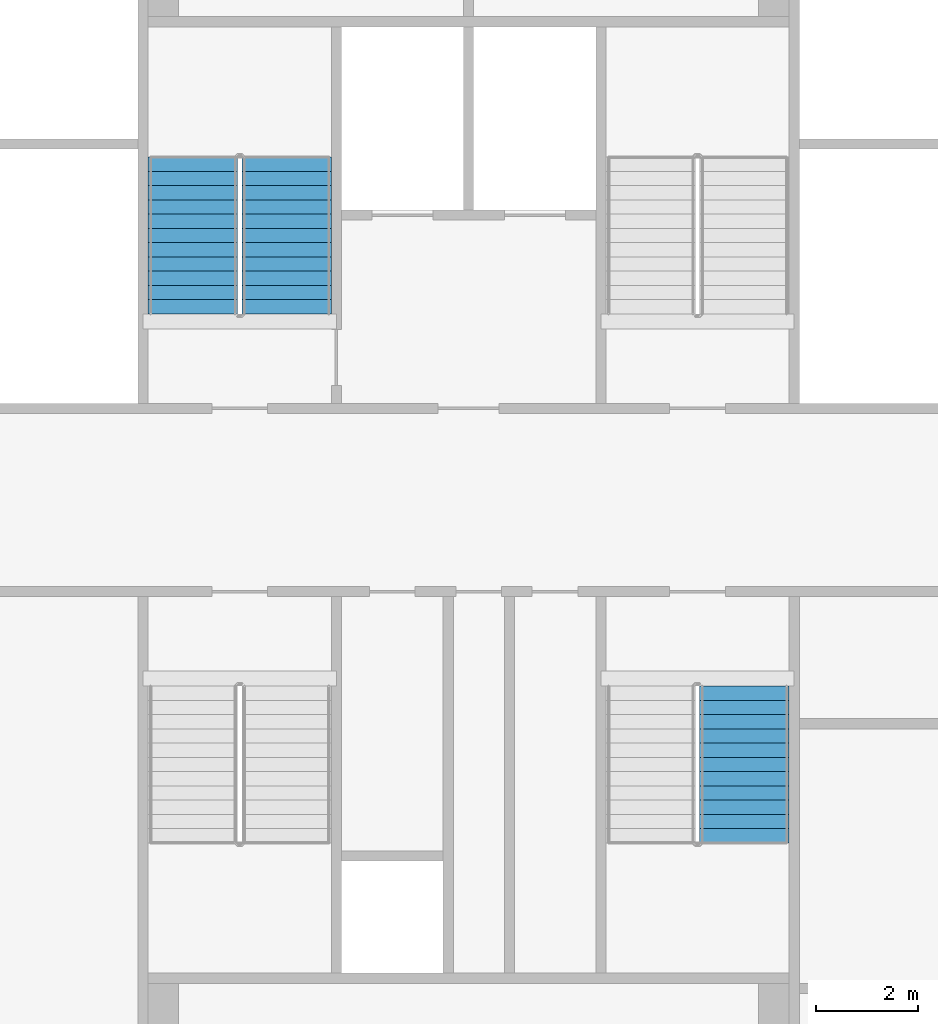
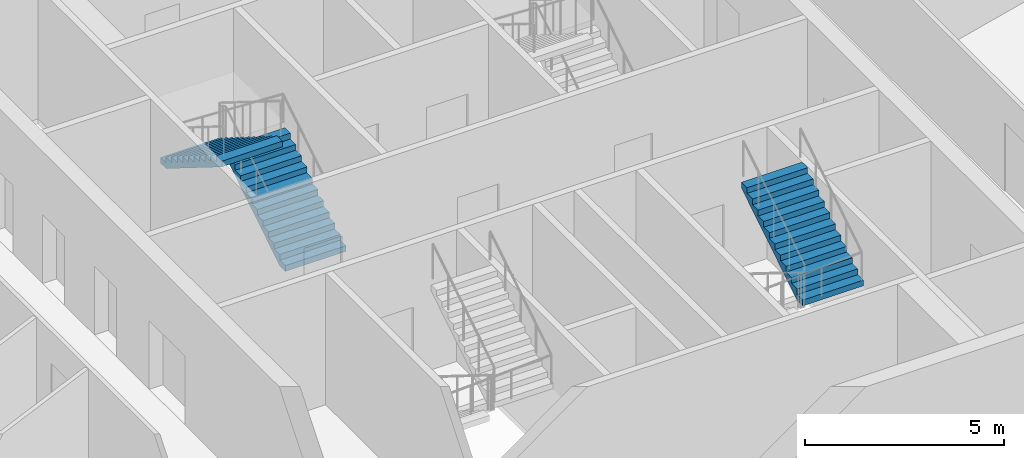
# One storey, part 29 of 35: 3 stair flights, 2 elements without a shape of their own.
"""IFC4 building model written with IfcOpenShell, lengths in metres."""

from ifc_helpers import new_model, si_unit, direction, frame, origin, place, context, subcontext, project, spatial, faceted_brep, material, type_object, element, aggregate, save


model = new_model("IFC4")

# Units and contexts
model_context = context("Model", 3, precision=1e-05, world=origin(), true_north=direction((0.0, 1.0)))
body_context = subcontext(model_context, "Body", "Model", "MODEL_VIEW")
ifc_project = project(units=[si_unit("LENGTHUNIT", "METRE"), si_unit("AREAUNIT", "SQUARE_METRE"), si_unit("VOLUMEUNIT", "CUBIC_METRE"), si_unit("PLANEANGLEUNIT", "RADIAN"), si_unit("MASSUNIT", "GRAM", prefix="KILO")], contexts=[model_context])

# Site, building, storey
site_placement = place(None, origin())
site = spatial("IfcSite", under=ifc_project, at=site_placement, CompositionType="ELEMENT")
building_placement = place(site_placement, origin())
building = spatial("IfcBuilding", under=site, at=building_placement, Name="Tarsis Ring Headquarters", CompositionType="ELEMENT")
storey_placement = place(building_placement, frame((0.0, 0.0, 377.60009765625)))
storey = spatial("IfcBuildingStorey", under=building, at=storey_placement, Name="L89", CompositionType="ELEMENT", Elevation=377.60009765625)

# Stair, stair flights
ifc_material_1 = material(Name="Core stair 1760")
stair_type = type_object("IfcStairType", Name="Core stair 1760", PredefinedType="HALF_TURN_STAIR", material=ifc_material_1)
stair_1_placement = place(storey_placement, origin())
stair_1 = element("IfcStair", 1, at=stair_1_placement, inside=storey, type_object=stair_type, Name="L89 Firefighting stair", PredefinedType="HALF_TURN_STAIR")
ifc_material_2 = material(Name="Concrete C40/50", Category="concrete")
stair_flight_type = type_object("IfcStairFlightType", Name="Core stair flight 1760", PredefinedType="STRAIGHT", material=ifc_material_2)
stair_flight_1_placement = place(storey_placement, frame((-3.580078125, 3.659912109375, 0.0), z_axis=(0.0, 0.0, 1.0), x_axis=(0.0, 1.0, 0.0)))
stair_flight_1 = element("IfcStairFlight", 2, at=stair_flight_1_placement, type_object=stair_flight_type, Name="Stair ST1 flight 1", NumberOfRisers=12, NumberOfTreads=11, PredefinedType="STRAIGHT", RiserHeight=0.175, TreadLength=0.28, context=body_context, shape_type="Brep", body=[
    faceted_brep([(0.0, 0.8798828125, 0.0), (0.0, 0.8798828125, 0.175048828125), (0.280029296875, 0.8798828125, 0.175048828125), (0.280029296875, 0.8798828125, 0.35009765625), (0.56005859375, 0.8798828125, 0.35009765625), (0.56005859375, 0.8798828125, 0.52490234375), (0.840087890625, 0.8798828125, 0.52490234375), (0.840087890625, 0.8798828125, 0.699951171875), (1.1201171875, 0.8798828125, 0.699951171875), (1.1201171875, 0.8798828125, 0.875), (1.39990234375, 0.8798828125, 0.875), (1.39990234375, 0.8798828125, 1.050048828125), (1.679931640625, 0.8798828125, 1.050048828125), (1.679931640625, 0.8798828125, 1.22509765625), (1.9599609375, 0.8798828125, 1.22509765625), (1.9599609375, 0.8798828125, 1.39990234375), (2.239990234375, 0.8798828125, 1.39990234375), (2.239990234375, 0.8798828125, 1.574951171875), (2.52001953125, 0.8798828125, 1.574951171875), (2.52001953125, 0.8798828125, 1.75), (2.800048828125, 0.8798828125, 1.75), (2.800048828125, 0.8798828125, 1.925048828125), (3.080078125, 0.8798828125, 1.925048828125), (3.080078125, 0.8798828125, 1.748291015625), (0.28271484375, 0.8798828125, 0.0), (0.28271484375, -0.8798828125, 0.0), (3.080078125, -0.8798828125, 1.748291015625), (3.080078125, -0.8798828125, 1.925048828125), (2.800048828125, -0.8798828125, 1.925048828125), (2.800048828125, -0.8798828125, 1.75), (2.52001953125, -0.8798828125, 1.75), (2.52001953125, -0.8798828125, 1.574951171875), (2.239990234375, -0.8798828125, 1.574951171875), (2.239990234375, -0.8798828125, 1.39990234375), (1.9599609375, -0.8798828125, 1.39990234375), (1.9599609375, -0.8798828125, 1.22509765625), (1.679931640625, -0.8798828125, 1.22509765625), (1.679931640625, -0.8798828125, 1.050048828125), (1.39990234375, -0.8798828125, 1.050048828125), (1.39990234375, -0.8798828125, 0.875), (1.1201171875, -0.8798828125, 0.875), (1.1201171875, -0.8798828125, 0.699951171875), (0.840087890625, -0.8798828125, 0.699951171875), (0.840087890625, -0.8798828125, 0.52490234375), (0.56005859375, -0.8798828125, 0.52490234375), (0.56005859375, -0.8798828125, 0.35009765625), (0.280029296875, -0.8798828125, 0.35009765625), (0.280029296875, -0.8798828125, 0.175048828125), (0.0, -0.8798828125, 0.175048828125), (0.0, -0.8798828125, 0.0), (0.0, -0.43994140625, 0.175048828125), (0.0, -0.43994140625, 0.0), (0.0, 0.0, 0.175048828125), (0.0, 0.0, 0.0), (0.0, 0.43994140625, 0.175048828125), (0.0, 0.43994140625, 0.0), (0.280029296875, -0.43994140625, 0.175048828125), (0.280029296875, 0.0, 0.175048828125), (0.280029296875, 0.43994140625, 0.175048828125), (0.280029296875, -0.43994140625, 0.35009765625), (0.280029296875, 0.0, 0.35009765625), (0.280029296875, 0.43994140625, 0.35009765625), (0.56005859375, -0.43994140625, 0.35009765625), (0.56005859375, 0.0, 0.35009765625), (0.56005859375, 0.43994140625, 0.35009765625), (0.56005859375, -0.43994140625, 0.52490234375), (0.56005859375, 0.0, 0.52490234375), (0.56005859375, 0.43994140625, 0.52490234375), (0.840087890625, -0.43994140625, 0.52490234375), (0.840087890625, 0.0, 0.52490234375), (0.840087890625, 0.43994140625, 0.52490234375), (0.840087890625, -0.43994140625, 0.699951171875), (0.840087890625, 0.0, 0.699951171875), (0.840087890625, 0.43994140625, 0.699951171875), (1.1201171875, -0.43994140625, 0.699951171875), (1.1201171875, 0.0, 0.699951171875), (1.1201171875, 0.43994140625, 0.699951171875), (1.1201171875, -0.43994140625, 0.875), (1.1201171875, 0.0, 0.875), (1.1201171875, 0.43994140625, 0.875), (1.39990234375, -0.43994140625, 0.875), (1.39990234375, 0.0, 0.875), (1.39990234375, 0.43994140625, 0.875), (1.39990234375, -0.43994140625, 1.050048828125), (1.39990234375, 0.0, 1.050048828125), (1.39990234375, 0.43994140625, 1.050048828125), (1.679931640625, -0.43994140625, 1.050048828125), (1.679931640625, 0.0, 1.050048828125), (1.679931640625, 0.43994140625, 1.050048828125), (1.679931640625, -0.43994140625, 1.22509765625), (1.679931640625, 0.0, 1.22509765625), (1.679931640625, 0.43994140625, 1.22509765625), (1.9599609375, -0.43994140625, 1.22509765625), (1.9599609375, 0.0, 1.22509765625), (1.9599609375, 0.43994140625, 1.22509765625), (1.9599609375, -0.43994140625, 1.39990234375), (1.9599609375, 0.0, 1.39990234375), (1.9599609375, 0.43994140625, 1.39990234375), (2.239990234375, -0.43994140625, 1.39990234375), (2.239990234375, 0.0, 1.39990234375), (2.239990234375, 0.43994140625, 1.39990234375), (2.239990234375, -0.43994140625, 1.574951171875), (2.239990234375, 0.0, 1.574951171875), (2.239990234375, 0.43994140625, 1.574951171875), (2.52001953125, -0.43994140625, 1.574951171875), (2.52001953125, 0.0, 1.574951171875), (2.52001953125, 0.43994140625, 1.574951171875), (2.52001953125, -0.43994140625, 1.75), (2.52001953125, 0.0, 1.75), (2.52001953125, 0.43994140625, 1.75), (2.800048828125, -0.43994140625, 1.75), (2.800048828125, 0.0, 1.75), (2.800048828125, 0.43994140625, 1.75), (2.800048828125, -0.43994140625, 1.925048828125), (2.800048828125, 0.0, 1.925048828125), (2.800048828125, 0.43994140625, 1.925048828125), (3.080078125, -0.43994140625, 1.925048828125), (3.080078125, 0.0, 1.925048828125), (3.080078125, 0.43994140625, 1.925048828125), (3.080078125, -0.43994140625, 1.748291015625), (3.080078125, 0.0, 1.748291015625), (3.080078125, 0.43994140625, 1.748291015625), (0.28271484375, -0.43994140625, 0.0), (0.28271484375, 0.0, 0.0), (0.28271484375, 0.43994140625, 0.0)], [[[0, 1, 2, 3, 4, 5, 6, 7, 8, 9, 10, 11, 12, 13, 14, 15, 16, 17, 18, 19, 20, 21, 22, 23, 24]], [[25, 26, 27, 28, 29, 30, 31, 32, 33, 34, 35, 36, 37, 38, 39, 40, 41, 42, 43, 44, 45, 46, 47, 48, 49]], [[49, 48, 50, 51]], [[51, 50, 52, 53]], [[53, 52, 54, 55]], [[55, 54, 1, 0]], [[48, 47, 56, 50]], [[50, 56, 57, 52]], [[52, 57, 58, 54]], [[54, 58, 2, 1]], [[47, 46, 59, 56]], [[56, 59, 60, 57]], [[57, 60, 61, 58]], [[58, 61, 3, 2]], [[46, 45, 62, 59]], [[59, 62, 63, 60]], [[60, 63, 64, 61]], [[61, 64, 4, 3]], [[45, 44, 65, 62]], [[62, 65, 66, 63]], [[63, 66, 67, 64]], [[64, 67, 5, 4]], [[44, 43, 68, 65]], [[65, 68, 69, 66]], [[66, 69, 70, 67]], [[67, 70, 6, 5]], [[43, 42, 71, 68]], [[68, 71, 72, 69]], [[69, 72, 73, 70]], [[70, 73, 7, 6]], [[42, 41, 74, 71]], [[71, 74, 75, 72]], [[72, 75, 76, 73]], [[73, 76, 8, 7]], [[41, 40, 77, 74]], [[74, 77, 78, 75]], [[75, 78, 79, 76]], [[76, 79, 9, 8]], [[40, 39, 80, 77]], [[77, 80, 81, 78]], [[78, 81, 82, 79]], [[79, 82, 10, 9]], [[39, 38, 83, 80]], [[80, 83, 84, 81]], [[81, 84, 85, 82]], [[82, 85, 11, 10]], [[38, 37, 86, 83]], [[83, 86, 87, 84]], [[84, 87, 88, 85]], [[85, 88, 12, 11]], [[37, 36, 89, 86]], [[86, 89, 90, 87]], [[87, 90, 91, 88]], [[88, 91, 13, 12]], [[36, 35, 92, 89]], [[89, 92, 93, 90]], [[90, 93, 94, 91]], [[91, 94, 14, 13]], [[35, 34, 95, 92]], [[92, 95, 96, 93]], [[93, 96, 97, 94]], [[94, 97, 15, 14]], [[34, 33, 98, 95]], [[95, 98, 99, 96]], [[96, 99, 100, 97]], [[97, 100, 16, 15]], [[33, 32, 101, 98]], [[98, 101, 102, 99]], [[99, 102, 103, 100]], [[100, 103, 17, 16]], [[32, 31, 104, 101]], [[101, 104, 105, 102]], [[102, 105, 106, 103]], [[103, 106, 18, 17]], [[31, 30, 107, 104]], [[104, 107, 108, 105]], [[105, 108, 109, 106]], [[106, 109, 19, 18]], [[30, 29, 110, 107]], [[107, 110, 111, 108]], [[108, 111, 112, 109]], [[109, 112, 20, 19]], [[29, 28, 113, 110]], [[110, 113, 114, 111]], [[111, 114, 115, 112]], [[112, 115, 21, 20]], [[28, 27, 116, 113]], [[113, 116, 117, 114]], [[114, 117, 118, 115]], [[115, 118, 22, 21]], [[27, 26, 119, 116]], [[116, 119, 120, 117]], [[117, 120, 121, 118]], [[118, 121, 23, 22]], [[26, 25, 122, 119]], [[119, 122, 123, 120]], [[120, 123, 124, 121]], [[121, 124, 24, 23]], [[25, 49, 51, 122]], [[122, 51, 53, 123]], [[123, 53, 55, 124]], [[124, 55, 0, 24]]]),
])
stair_flight_2_placement = place(storey_placement, frame((-5.419921875, 6.739990234375, 2.099853515625), z_axis=(0.0, 0.0, 1.0), x_axis=(0.0, -1.0, 0.0)))
stair_flight_2 = element("IfcStairFlight", 3, at=stair_flight_2_placement, type_object=stair_flight_type, Name="Stair ST1 flight 2", NumberOfRisers=12, NumberOfTreads=11, PredefinedType="STRAIGHT", RiserHeight=0.175, TreadLength=0.28, context=body_context, shape_type="Brep", body=[
    faceted_brep([(0.0, 0.8798828125, 0.0), (0.0, 0.8798828125, 0.175048828125), (0.280029296875, 0.8798828125, 0.175048828125), (0.280029296875, 0.8798828125, 0.35009765625), (0.56005859375, 0.8798828125, 0.35009765625), (0.56005859375, 0.8798828125, 0.52490234375), (0.840087890625, 0.8798828125, 0.52490234375), (0.840087890625, 0.8798828125, 0.699951171875), (1.1201171875, 0.8798828125, 0.699951171875), (1.1201171875, 0.8798828125, 0.875), (1.39990234375, 0.8798828125, 0.875), (1.39990234375, 0.8798828125, 1.050048828125), (1.679931640625, 0.8798828125, 1.050048828125), (1.679931640625, 0.8798828125, 1.22509765625), (1.9599609375, 0.8798828125, 1.22509765625), (1.9599609375, 0.8798828125, 1.39990234375), (2.239990234375, 0.8798828125, 1.39990234375), (2.239990234375, 0.8798828125, 1.574951171875), (2.52001953125, 0.8798828125, 1.574951171875), (2.52001953125, 0.8798828125, 1.75), (2.800048828125, 0.8798828125, 1.75), (2.800048828125, 0.8798828125, 1.925048828125), (3.080078125, 0.8798828125, 1.925048828125), (3.080078125, 0.8798828125, 1.748291015625), (0.28271484375, 0.8798828125, 0.0), (0.28271484375, -0.8798828125, 0.0), (3.080078125, -0.8798828125, 1.748291015625), (3.080078125, -0.8798828125, 1.925048828125), (2.800048828125, -0.8798828125, 1.925048828125), (2.800048828125, -0.8798828125, 1.75), (2.52001953125, -0.8798828125, 1.75), (2.52001953125, -0.8798828125, 1.574951171875), (2.239990234375, -0.8798828125, 1.574951171875), (2.239990234375, -0.8798828125, 1.39990234375), (1.9599609375, -0.8798828125, 1.39990234375), (1.9599609375, -0.8798828125, 1.22509765625), (1.679931640625, -0.8798828125, 1.22509765625), (1.679931640625, -0.8798828125, 1.050048828125), (1.39990234375, -0.8798828125, 1.050048828125), (1.39990234375, -0.8798828125, 0.875), (1.1201171875, -0.8798828125, 0.875), (1.1201171875, -0.8798828125, 0.699951171875), (0.840087890625, -0.8798828125, 0.699951171875), (0.840087890625, -0.8798828125, 0.52490234375), (0.56005859375, -0.8798828125, 0.52490234375), (0.56005859375, -0.8798828125, 0.35009765625), (0.280029296875, -0.8798828125, 0.35009765625), (0.280029296875, -0.8798828125, 0.175048828125), (0.0, -0.8798828125, 0.175048828125), (0.0, -0.8798828125, 0.0), (0.0, -0.43994140625, 0.175048828125), (0.0, -0.43994140625, 0.0), (0.0, 0.0, 0.175048828125), (0.0, 0.0, 0.0), (0.0, 0.43994140625, 0.175048828125), (0.0, 0.43994140625, 0.0), (0.280029296875, -0.43994140625, 0.175048828125), (0.280029296875, 0.0, 0.175048828125), (0.280029296875, 0.43994140625, 0.175048828125), (0.280029296875, -0.43994140625, 0.35009765625), (0.280029296875, 0.0, 0.35009765625), (0.280029296875, 0.43994140625, 0.35009765625), (0.56005859375, -0.43994140625, 0.35009765625), (0.56005859375, 0.0, 0.35009765625), (0.56005859375, 0.43994140625, 0.35009765625), (0.56005859375, -0.43994140625, 0.52490234375), (0.56005859375, 0.0, 0.52490234375), (0.56005859375, 0.43994140625, 0.52490234375), (0.840087890625, -0.43994140625, 0.52490234375), (0.840087890625, 0.0, 0.52490234375), (0.840087890625, 0.43994140625, 0.52490234375), (0.840087890625, -0.43994140625, 0.699951171875), (0.840087890625, 0.0, 0.699951171875), (0.840087890625, 0.43994140625, 0.699951171875), (1.1201171875, -0.43994140625, 0.699951171875), (1.1201171875, 0.0, 0.699951171875), (1.1201171875, 0.43994140625, 0.699951171875), (1.1201171875, -0.43994140625, 0.875), (1.1201171875, 0.0, 0.875), (1.1201171875, 0.43994140625, 0.875), (1.39990234375, -0.43994140625, 0.875), (1.39990234375, 0.0, 0.875), (1.39990234375, 0.43994140625, 0.875), (1.39990234375, -0.43994140625, 1.050048828125), (1.39990234375, 0.0, 1.050048828125), (1.39990234375, 0.43994140625, 1.050048828125), (1.679931640625, -0.43994140625, 1.050048828125), (1.679931640625, 0.0, 1.050048828125), (1.679931640625, 0.43994140625, 1.050048828125), (1.679931640625, -0.43994140625, 1.22509765625), (1.679931640625, 0.0, 1.22509765625), (1.679931640625, 0.43994140625, 1.22509765625), (1.9599609375, -0.43994140625, 1.22509765625), (1.9599609375, 0.0, 1.22509765625), (1.9599609375, 0.43994140625, 1.22509765625), (1.9599609375, -0.43994140625, 1.39990234375), (1.9599609375, 0.0, 1.39990234375), (1.9599609375, 0.43994140625, 1.39990234375), (2.239990234375, -0.43994140625, 1.39990234375), (2.239990234375, 0.0, 1.39990234375), (2.239990234375, 0.43994140625, 1.39990234375), (2.239990234375, -0.43994140625, 1.574951171875), (2.239990234375, 0.0, 1.574951171875), (2.239990234375, 0.43994140625, 1.574951171875), (2.52001953125, -0.43994140625, 1.574951171875), (2.52001953125, 0.0, 1.574951171875), (2.52001953125, 0.43994140625, 1.574951171875), (2.52001953125, -0.43994140625, 1.75), (2.52001953125, 0.0, 1.75), (2.52001953125, 0.43994140625, 1.75), (2.800048828125, -0.43994140625, 1.75), (2.800048828125, 0.0, 1.75), (2.800048828125, 0.43994140625, 1.75), (2.800048828125, -0.43994140625, 1.925048828125), (2.800048828125, 0.0, 1.925048828125), (2.800048828125, 0.43994140625, 1.925048828125), (3.080078125, -0.43994140625, 1.925048828125), (3.080078125, 0.0, 1.925048828125), (3.080078125, 0.43994140625, 1.925048828125), (3.080078125, -0.43994140625, 1.748291015625), (3.080078125, 0.0, 1.748291015625), (3.080078125, 0.43994140625, 1.748291015625), (0.28271484375, -0.43994140625, 0.0), (0.28271484375, 0.0, 0.0), (0.28271484375, 0.43994140625, 0.0)], [[[0, 1, 2, 3, 4, 5, 6, 7, 8, 9, 10, 11, 12, 13, 14, 15, 16, 17, 18, 19, 20, 21, 22, 23, 24]], [[25, 26, 27, 28, 29, 30, 31, 32, 33, 34, 35, 36, 37, 38, 39, 40, 41, 42, 43, 44, 45, 46, 47, 48, 49]], [[49, 48, 50, 51]], [[51, 50, 52, 53]], [[53, 52, 54, 55]], [[55, 54, 1, 0]], [[48, 47, 56, 50]], [[50, 56, 57, 52]], [[52, 57, 58, 54]], [[54, 58, 2, 1]], [[47, 46, 59, 56]], [[56, 59, 60, 57]], [[57, 60, 61, 58]], [[58, 61, 3, 2]], [[46, 45, 62, 59]], [[59, 62, 63, 60]], [[60, 63, 64, 61]], [[61, 64, 4, 3]], [[45, 44, 65, 62]], [[62, 65, 66, 63]], [[63, 66, 67, 64]], [[64, 67, 5, 4]], [[44, 43, 68, 65]], [[65, 68, 69, 66]], [[66, 69, 70, 67]], [[67, 70, 6, 5]], [[43, 42, 71, 68]], [[68, 71, 72, 69]], [[69, 72, 73, 70]], [[70, 73, 7, 6]], [[42, 41, 74, 71]], [[71, 74, 75, 72]], [[72, 75, 76, 73]], [[73, 76, 8, 7]], [[41, 40, 77, 74]], [[74, 77, 78, 75]], [[75, 78, 79, 76]], [[76, 79, 9, 8]], [[40, 39, 80, 77]], [[77, 80, 81, 78]], [[78, 81, 82, 79]], [[79, 82, 10, 9]], [[39, 38, 83, 80]], [[80, 83, 84, 81]], [[81, 84, 85, 82]], [[82, 85, 11, 10]], [[38, 37, 86, 83]], [[83, 86, 87, 84]], [[84, 87, 88, 85]], [[85, 88, 12, 11]], [[37, 36, 89, 86]], [[86, 89, 90, 87]], [[87, 90, 91, 88]], [[88, 91, 13, 12]], [[36, 35, 92, 89]], [[89, 92, 93, 90]], [[90, 93, 94, 91]], [[91, 94, 14, 13]], [[35, 34, 95, 92]], [[92, 95, 96, 93]], [[93, 96, 97, 94]], [[94, 97, 15, 14]], [[34, 33, 98, 95]], [[95, 98, 99, 96]], [[96, 99, 100, 97]], [[97, 100, 16, 15]], [[33, 32, 101, 98]], [[98, 101, 102, 99]], [[99, 102, 103, 100]], [[100, 103, 17, 16]], [[32, 31, 104, 101]], [[101, 104, 105, 102]], [[102, 105, 106, 103]], [[103, 106, 18, 17]], [[31, 30, 107, 104]], [[104, 107, 108, 105]], [[105, 108, 109, 106]], [[106, 109, 19, 18]], [[30, 29, 110, 107]], [[107, 110, 111, 108]], [[108, 111, 112, 109]], [[109, 112, 20, 19]], [[29, 28, 113, 110]], [[110, 113, 114, 111]], [[111, 114, 115, 112]], [[112, 115, 21, 20]], [[28, 27, 116, 113]], [[113, 116, 117, 114]], [[114, 117, 118, 115]], [[115, 118, 22, 21]], [[27, 26, 119, 116]], [[116, 119, 120, 117]], [[117, 120, 121, 118]], [[118, 121, 23, 22]], [[26, 25, 122, 119]], [[119, 122, 123, 120]], [[120, 123, 124, 121]], [[121, 124, 24, 23]], [[25, 49, 51, 122]], [[122, 51, 53, 123]], [[123, 53, 55, 124]], [[124, 55, 0, 24]]]),
])
aggregate(stair_1, [stair_flight_1, stair_flight_2])

# Stair, stair flight
stair_2_placement = place(storey_placement, origin())
stair_2 = element("IfcStair", 4, at=stair_2_placement, inside=storey, type_object=stair_type, Name="L89 Exit stair D", PredefinedType="HALF_TURN_STAIR")
stair_flight_3_placement = place(storey_placement, frame((5.419921875, -6.739990234375, 2.099853515625), z_axis=(0.0, 0.0, 1.0), x_axis=(0.0, 1.0, 0.0)))
stair_flight_3 = element("IfcStairFlight", 5, at=stair_flight_3_placement, type_object=stair_flight_type, Name="Stair ST4 flight 2", NumberOfRisers=12, NumberOfTreads=11, PredefinedType="STRAIGHT", RiserHeight=0.175, TreadLength=0.28, context=body_context, shape_type="Brep", body=[
    faceted_brep([(0.0, 0.8798828125, 0.0), (0.0, 0.8798828125, 0.175048828125), (0.280029296875, 0.8798828125, 0.175048828125), (0.280029296875, 0.8798828125, 0.35009765625), (0.56005859375, 0.8798828125, 0.35009765625), (0.56005859375, 0.8798828125, 0.52490234375), (0.840087890625, 0.8798828125, 0.52490234375), (0.840087890625, 0.8798828125, 0.699951171875), (1.1201171875, 0.8798828125, 0.699951171875), (1.1201171875, 0.8798828125, 0.875), (1.39990234375, 0.8798828125, 0.875), (1.39990234375, 0.8798828125, 1.050048828125), (1.679931640625, 0.8798828125, 1.050048828125), (1.679931640625, 0.8798828125, 1.22509765625), (1.9599609375, 0.8798828125, 1.22509765625), (1.9599609375, 0.8798828125, 1.39990234375), (2.239990234375, 0.8798828125, 1.39990234375), (2.239990234375, 0.8798828125, 1.574951171875), (2.52001953125, 0.8798828125, 1.574951171875), (2.52001953125, 0.8798828125, 1.75), (2.800048828125, 0.8798828125, 1.75), (2.800048828125, 0.8798828125, 1.925048828125), (3.080078125, 0.8798828125, 1.925048828125), (3.080078125, 0.8798828125, 1.748291015625), (0.28271484375, 0.8798828125, 0.0), (0.28271484375, -0.8798828125, 0.0), (3.080078125, -0.8798828125, 1.748291015625), (3.080078125, -0.8798828125, 1.925048828125), (2.800048828125, -0.8798828125, 1.925048828125), (2.800048828125, -0.8798828125, 1.75), (2.52001953125, -0.8798828125, 1.75), (2.52001953125, -0.8798828125, 1.574951171875), (2.239990234375, -0.8798828125, 1.574951171875), (2.239990234375, -0.8798828125, 1.39990234375), (1.9599609375, -0.8798828125, 1.39990234375), (1.9599609375, -0.8798828125, 1.22509765625), (1.679931640625, -0.8798828125, 1.22509765625), (1.679931640625, -0.8798828125, 1.050048828125), (1.39990234375, -0.8798828125, 1.050048828125), (1.39990234375, -0.8798828125, 0.875), (1.1201171875, -0.8798828125, 0.875), (1.1201171875, -0.8798828125, 0.699951171875), (0.840087890625, -0.8798828125, 0.699951171875), (0.840087890625, -0.8798828125, 0.52490234375), (0.56005859375, -0.8798828125, 0.52490234375), (0.56005859375, -0.8798828125, 0.35009765625), (0.280029296875, -0.8798828125, 0.35009765625), (0.280029296875, -0.8798828125, 0.175048828125), (0.0, -0.8798828125, 0.175048828125), (0.0, -0.8798828125, 0.0), (0.0, -0.43994140625, 0.175048828125), (0.0, -0.43994140625, 0.0), (0.0, 0.0, 0.175048828125), (0.0, 0.0, 0.0), (0.0, 0.43994140625, 0.175048828125), (0.0, 0.43994140625, 0.0), (0.280029296875, -0.43994140625, 0.175048828125), (0.280029296875, 0.0, 0.175048828125), (0.280029296875, 0.43994140625, 0.175048828125), (0.280029296875, -0.43994140625, 0.35009765625), (0.280029296875, 0.0, 0.35009765625), (0.280029296875, 0.43994140625, 0.35009765625), (0.56005859375, -0.43994140625, 0.35009765625), (0.56005859375, 0.0, 0.35009765625), (0.56005859375, 0.43994140625, 0.35009765625), (0.56005859375, -0.43994140625, 0.52490234375), (0.56005859375, 0.0, 0.52490234375), (0.56005859375, 0.43994140625, 0.52490234375), (0.840087890625, -0.43994140625, 0.52490234375), (0.840087890625, 0.0, 0.52490234375), (0.840087890625, 0.43994140625, 0.52490234375), (0.840087890625, -0.43994140625, 0.699951171875), (0.840087890625, 0.0, 0.699951171875), (0.840087890625, 0.43994140625, 0.699951171875), (1.1201171875, -0.43994140625, 0.699951171875), (1.1201171875, 0.0, 0.699951171875), (1.1201171875, 0.43994140625, 0.699951171875), (1.1201171875, -0.43994140625, 0.875), (1.1201171875, 0.0, 0.875), (1.1201171875, 0.43994140625, 0.875), (1.39990234375, -0.43994140625, 0.875), (1.39990234375, 0.0, 0.875), (1.39990234375, 0.43994140625, 0.875), (1.39990234375, -0.43994140625, 1.050048828125), (1.39990234375, 0.0, 1.050048828125), (1.39990234375, 0.43994140625, 1.050048828125), (1.679931640625, -0.43994140625, 1.050048828125), (1.679931640625, 0.0, 1.050048828125), (1.679931640625, 0.43994140625, 1.050048828125), (1.679931640625, -0.43994140625, 1.22509765625), (1.679931640625, 0.0, 1.22509765625), (1.679931640625, 0.43994140625, 1.22509765625), (1.9599609375, -0.43994140625, 1.22509765625), (1.9599609375, 0.0, 1.22509765625), (1.9599609375, 0.43994140625, 1.22509765625), (1.9599609375, -0.43994140625, 1.39990234375), (1.9599609375, 0.0, 1.39990234375), (1.9599609375, 0.43994140625, 1.39990234375), (2.239990234375, -0.43994140625, 1.39990234375), (2.239990234375, 0.0, 1.39990234375), (2.239990234375, 0.43994140625, 1.39990234375), (2.239990234375, -0.43994140625, 1.574951171875), (2.239990234375, 0.0, 1.574951171875), (2.239990234375, 0.43994140625, 1.574951171875), (2.52001953125, -0.43994140625, 1.574951171875), (2.52001953125, 0.0, 1.574951171875), (2.52001953125, 0.43994140625, 1.574951171875), (2.52001953125, -0.43994140625, 1.75), (2.52001953125, 0.0, 1.75), (2.52001953125, 0.43994140625, 1.75), (2.800048828125, -0.43994140625, 1.75), (2.800048828125, 0.0, 1.75), (2.800048828125, 0.43994140625, 1.75), (2.800048828125, -0.43994140625, 1.925048828125), (2.800048828125, 0.0, 1.925048828125), (2.800048828125, 0.43994140625, 1.925048828125), (3.080078125, -0.43994140625, 1.925048828125), (3.080078125, 0.0, 1.925048828125), (3.080078125, 0.43994140625, 1.925048828125), (3.080078125, -0.43994140625, 1.748291015625), (3.080078125, 0.0, 1.748291015625), (3.080078125, 0.43994140625, 1.748291015625), (0.28271484375, -0.43994140625, 0.0), (0.28271484375, 0.0, 0.0), (0.28271484375, 0.43994140625, 0.0)], [[[0, 1, 2, 3, 4, 5, 6, 7, 8, 9, 10, 11, 12, 13, 14, 15, 16, 17, 18, 19, 20, 21, 22, 23, 24]], [[25, 26, 27, 28, 29, 30, 31, 32, 33, 34, 35, 36, 37, 38, 39, 40, 41, 42, 43, 44, 45, 46, 47, 48, 49]], [[49, 48, 50, 51]], [[51, 50, 52, 53]], [[53, 52, 54, 55]], [[55, 54, 1, 0]], [[48, 47, 56, 50]], [[50, 56, 57, 52]], [[52, 57, 58, 54]], [[54, 58, 2, 1]], [[47, 46, 59, 56]], [[56, 59, 60, 57]], [[57, 60, 61, 58]], [[58, 61, 3, 2]], [[46, 45, 62, 59]], [[59, 62, 63, 60]], [[60, 63, 64, 61]], [[61, 64, 4, 3]], [[45, 44, 65, 62]], [[62, 65, 66, 63]], [[63, 66, 67, 64]], [[64, 67, 5, 4]], [[44, 43, 68, 65]], [[65, 68, 69, 66]], [[66, 69, 70, 67]], [[67, 70, 6, 5]], [[43, 42, 71, 68]], [[68, 71, 72, 69]], [[69, 72, 73, 70]], [[70, 73, 7, 6]], [[42, 41, 74, 71]], [[71, 74, 75, 72]], [[72, 75, 76, 73]], [[73, 76, 8, 7]], [[41, 40, 77, 74]], [[74, 77, 78, 75]], [[75, 78, 79, 76]], [[76, 79, 9, 8]], [[40, 39, 80, 77]], [[77, 80, 81, 78]], [[78, 81, 82, 79]], [[79, 82, 10, 9]], [[39, 38, 83, 80]], [[80, 83, 84, 81]], [[81, 84, 85, 82]], [[82, 85, 11, 10]], [[38, 37, 86, 83]], [[83, 86, 87, 84]], [[84, 87, 88, 85]], [[85, 88, 12, 11]], [[37, 36, 89, 86]], [[86, 89, 90, 87]], [[87, 90, 91, 88]], [[88, 91, 13, 12]], [[36, 35, 92, 89]], [[89, 92, 93, 90]], [[90, 93, 94, 91]], [[91, 94, 14, 13]], [[35, 34, 95, 92]], [[92, 95, 96, 93]], [[93, 96, 97, 94]], [[94, 97, 15, 14]], [[34, 33, 98, 95]], [[95, 98, 99, 96]], [[96, 99, 100, 97]], [[97, 100, 16, 15]], [[33, 32, 101, 98]], [[98, 101, 102, 99]], [[99, 102, 103, 100]], [[100, 103, 17, 16]], [[32, 31, 104, 101]], [[101, 104, 105, 102]], [[102, 105, 106, 103]], [[103, 106, 18, 17]], [[31, 30, 107, 104]], [[104, 107, 108, 105]], [[105, 108, 109, 106]], [[106, 109, 19, 18]], [[30, 29, 110, 107]], [[107, 110, 111, 108]], [[108, 111, 112, 109]], [[109, 112, 20, 19]], [[29, 28, 113, 110]], [[110, 113, 114, 111]], [[111, 114, 115, 112]], [[112, 115, 21, 20]], [[28, 27, 116, 113]], [[113, 116, 117, 114]], [[114, 117, 118, 115]], [[115, 118, 22, 21]], [[27, 26, 119, 116]], [[116, 119, 120, 117]], [[117, 120, 121, 118]], [[118, 121, 23, 22]], [[26, 25, 122, 119]], [[119, 122, 123, 120]], [[120, 123, 124, 121]], [[121, 124, 24, 23]], [[25, 49, 51, 122]], [[122, 51, 53, 123]], [[123, 53, 55, 124]], [[124, 55, 0, 24]]]),
])
aggregate(stair_2, [stair_flight_3])

save(model, "model.ifc")
